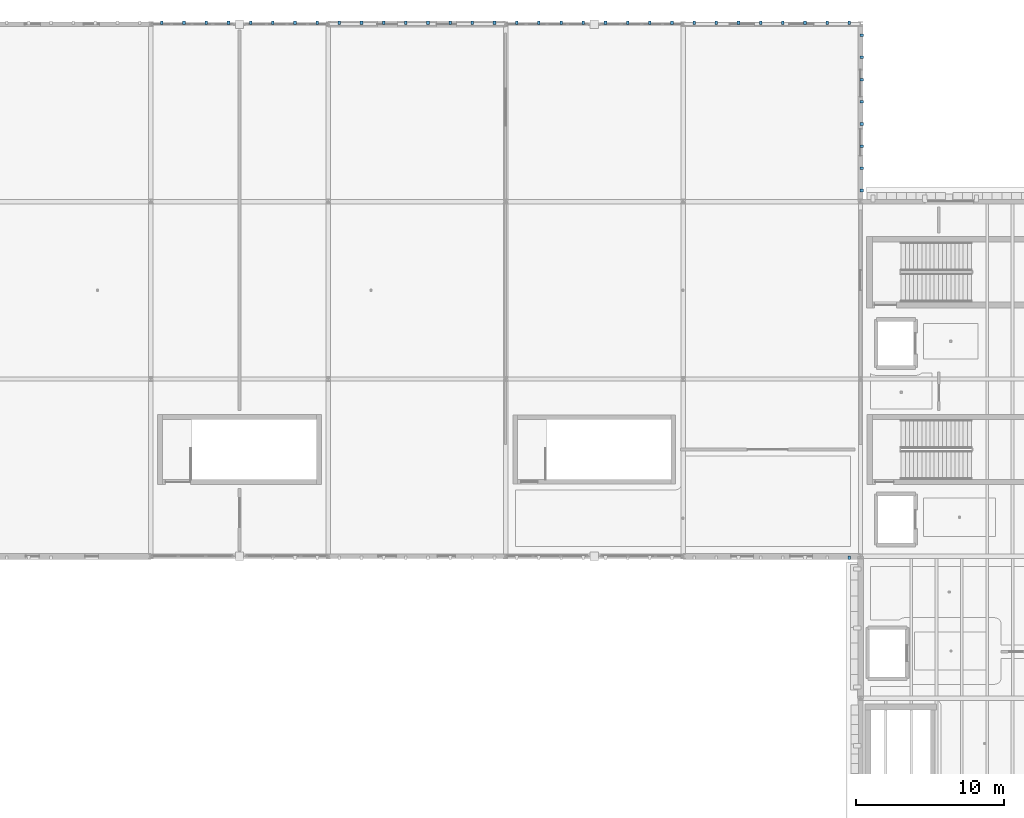
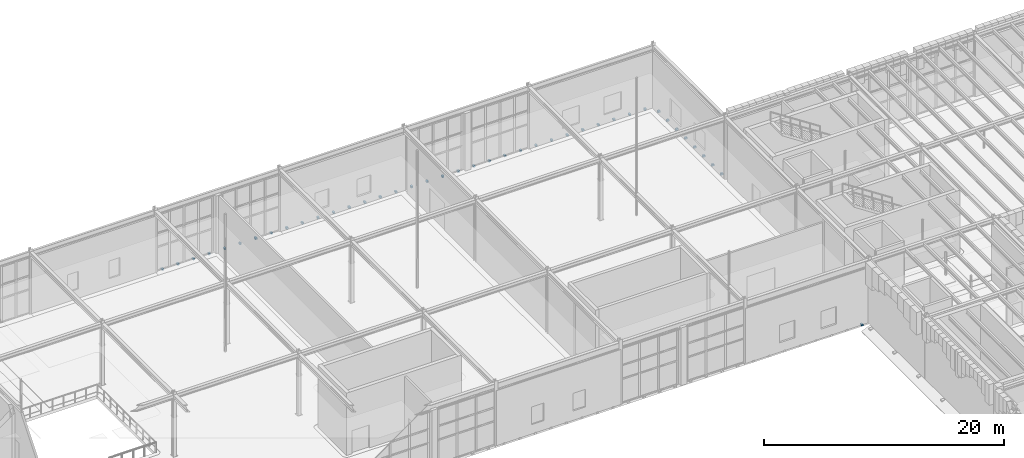
# One storey, part 52 of 62: 41 discrete accessories.
"""IFC4 building model written with IfcOpenShell, lengths in metres."""

from ifc_helpers import new_model, si_unit, direction, frame, origin, origin_2d, place, context, subcontext, project, spatial, rectangle, extrude, material, type_object, element, save


model = new_model("IFC4")

# Units and contexts
model_context = context("Model", 3, precision=1e-05, world=origin(), true_north=direction((0.0, 1.0)))
body_context = subcontext(model_context, "Body", "Model", "MODEL_VIEW")
ifc_project = project(units=[si_unit("LENGTHUNIT", "METRE"), si_unit("AREAUNIT", "SQUARE_METRE"), si_unit("VOLUMEUNIT", "CUBIC_METRE"), si_unit("PLANEANGLEUNIT", "RADIAN"), si_unit("MASSUNIT", "GRAM", prefix="KILO")], contexts=[model_context])

# Site, building, storey
site_placement = place(None, origin())
site = spatial("IfcSite", under=ifc_project, at=site_placement, CompositionType="ELEMENT")
building_placement = place(site_placement, origin())
building = spatial("IfcBuilding", under=site, at=building_placement, Name="Zlatogorsky Bluff Art Gallery", CompositionType="ELEMENT")
storey_placement = place(building_placement, frame((0.0, 0.0, 16.800048828125)))
storey = spatial("IfcBuildingStorey", under=building, at=storey_placement, Name="L03", CompositionType="ELEMENT", Elevation=16.800048828125)

# Discrete accessories
ifc_material = material(Name="Steel S355", Category="steel")
discrete_accessory_type = type_object("IfcDiscreteAccessoryType", Name="Stainless Facade Fin Bracket BRK-01", PredefinedType="BRACKET", material=ifc_material)
for number, where, z_axis, x_axis, name in (
    (1, (119.25, 83.919921875, -0.1298828125), (0.0, 0.0, 1.0), (1.0, 0.0, 0.0), "Fin slab-edge bracket S.071.L03"),
    (2, (72.75, 120.080078125, -0.1298828125), (0.0, 0.0, 1.0), (1.0, 0.0, 0.0), "Fin slab-edge bracket N.112.L03"),
    (3, (74.25, 120.080078125, -0.1298828125), (0.0, 0.0, 1.0), (1.0, 0.0, 0.0), "Fin slab-edge bracket N.113.L03"),
    (4, (75.75, 120.080078125, -0.1298828125), (0.0, 0.0, 1.0), (1.0, 0.0, 0.0), "Fin slab-edge bracket N.114.L03"),
    (5, (77.25, 120.080078125, -0.1298828125), (0.0, 0.0, 1.0), (1.0, 0.0, 0.0), "Fin slab-edge bracket N.115.L03"),
    (6, (78.75, 120.080078125, -0.1298828125), (0.0, 0.0, 1.0), (1.0, 0.0, 0.0), "Fin slab-edge bracket N.116.L03"),
    (7, (80.25, 120.080078125, -0.1298828125), (0.0, 0.0, 1.0), (1.0, 0.0, 0.0), "Fin slab-edge bracket N.117.L03"),
    (8, (81.75, 120.080078125, -0.1298828125), (0.0, 0.0, 1.0), (1.0, 0.0, 0.0), "Fin slab-edge bracket N.118.L03"),
    (9, (83.25, 120.080078125, -0.1298828125), (0.0, 0.0, 1.0), (1.0, 0.0, 0.0), "Fin slab-edge bracket N.119.L03"),
    (10, (84.75, 120.080078125, -0.1298828125), (0.0, 0.0, 1.0), (1.0, 0.0, 0.0), "Fin slab-edge bracket N.120.L03"),
    (11, (86.25, 120.080078125, -0.1298828125), (0.0, 0.0, 1.0), (1.0, 0.0, 0.0), "Fin slab-edge bracket N.121.L03"),
    (12, (87.75, 120.080078125, -0.1298828125), (0.0, 0.0, 1.0), (1.0, 0.0, 0.0), "Fin slab-edge bracket N.122.L03"),
    (13, (89.25, 120.080078125, -0.1298828125), (0.0, 0.0, 1.0), (1.0, 0.0, 0.0), "Fin slab-edge bracket N.123.L03"),
    (14, (90.75, 120.080078125, -0.1298828125), (0.0, 0.0, 1.0), (1.0, 0.0, 0.0), "Fin slab-edge bracket N.124.L03"),
    (15, (92.25, 120.080078125, -0.1298828125), (0.0, 0.0, 1.0), (1.0, 0.0, 0.0), "Fin slab-edge bracket N.125.L03"),
    (16, (93.75, 120.080078125, -0.1298828125), (0.0, 0.0, 1.0), (1.0, 0.0, 0.0), "Fin slab-edge bracket N.126.L03"),
    (17, (95.25, 120.080078125, -0.1298828125), (0.0, 0.0, 1.0), (1.0, 0.0, 0.0), "Fin slab-edge bracket N.127.L03"),
    (18, (96.75, 120.080078125, -0.1298828125), (0.0, 0.0, 1.0), (1.0, 0.0, 0.0), "Fin slab-edge bracket N.128.L03"),
    (19, (98.25, 120.080078125, -0.1298828125), (0.0, 0.0, 1.0), (1.0, 0.0, 0.0), "Fin slab-edge bracket N.129.L03"),
    (20, (99.75, 120.080078125, -0.1298828125), (0.0, 0.0, 1.0), (1.0, 0.0, 0.0), "Fin slab-edge bracket N.130.L03"),
    (21, (101.25, 120.080078125, -0.1298828125), (0.0, 0.0, 1.0), (1.0, 0.0, 0.0), "Fin slab-edge bracket N.131.L03"),
    (22, (102.75, 120.080078125, -0.1298828125), (0.0, 0.0, 1.0), (1.0, 0.0, 0.0), "Fin slab-edge bracket N.132.L03"),
    (23, (104.25, 120.080078125, -0.1298828125), (0.0, 0.0, 1.0), (1.0, 0.0, 0.0), "Fin slab-edge bracket N.133.L03"),
    (24, (105.75, 120.080078125, -0.1298828125), (0.0, 0.0, 1.0), (1.0, 0.0, 0.0), "Fin slab-edge bracket N.134.L03"),
    (25, (107.25, 120.080078125, -0.1298828125), (0.0, 0.0, 1.0), (1.0, 0.0, 0.0), "Fin slab-edge bracket N.135.L03"),
    (26, (108.75, 120.080078125, -0.1298828125), (0.0, 0.0, 1.0), (1.0, 0.0, 0.0), "Fin slab-edge bracket N.136.L03"),
    (27, (110.25, 120.080078125, -0.1298828125), (0.0, 0.0, 1.0), (1.0, 0.0, 0.0), "Fin slab-edge bracket N.137.L03"),
    (28, (111.75, 120.080078125, -0.1298828125), (0.0, 0.0, 1.0), (1.0, 0.0, 0.0), "Fin slab-edge bracket N.138.L03"),
    (29, (113.25, 120.080078125, -0.1298828125), (0.0, 0.0, 1.0), (1.0, 0.0, 0.0), "Fin slab-edge bracket N.139.L03"),
    (30, (114.75, 120.080078125, -0.1298828125), (0.0, 0.0, 1.0), (1.0, 0.0, 0.0), "Fin slab-edge bracket N.140.L03"),
    (31, (116.25, 120.080078125, -0.1298828125), (0.0, 0.0, 1.0), (1.0, 0.0, 0.0), "Fin slab-edge bracket N.141.L03"),
    (32, (117.75, 120.080078125, -0.1298828125), (0.0, 0.0, 1.0), (1.0, 0.0, 0.0), "Fin slab-edge bracket N.142.L03"),
    (33, (119.25, 120.080078125, -0.1298828125), (0.0, 0.0, 1.0), (1.0, 0.0, 0.0), "Fin slab-edge bracket N.143.L03"),
):
    element("IfcDiscreteAccessory", number, at=place(storey_placement, frame(where, z_axis=z_axis, x_axis=x_axis)), inside=storey, type_object=discrete_accessory_type, Name=name, PredefinedType="BRACKET", context=body_context, shape_type="SweptSolid", body=[
        extrude(rectangle(XDim=0.179931640625, YDim=0.239990234375, at=origin_2d()), origin(), (0.0, 0.0, 1.0), 0.179931640625),
    ])
for number, where, z_axis, x_axis, name in (
    (34, (120.080078125, 108.75, -0.1298828125), (0.0, 0.0, 1.0), (1.0, 0.0, 0.0), "Fin slab-edge bracket E.160.L03"),
    (35, (120.080078125, 110.25, -0.1298828125), (0.0, 0.0, 1.0), (1.0, 0.0, 0.0), "Fin slab-edge bracket E.161.L03"),
    (36, (120.080078125, 111.75, -0.1298828125), (0.0, 0.0, 1.0), (1.0, 0.0, 0.0), "Fin slab-edge bracket E.162.L03"),
    (37, (120.080078125, 113.25, -0.1298828125), (0.0, 0.0, 1.0), (1.0, 0.0, 0.0), "Fin slab-edge bracket E.163.L03"),
    (38, (120.080078125, 114.75, -0.1298828125), (0.0, 0.0, 1.0), (1.0, 0.0, 0.0), "Fin slab-edge bracket E.164.L03"),
    (39, (120.080078125, 116.25, -0.1298828125), (0.0, 0.0, 1.0), (1.0, 0.0, 0.0), "Fin slab-edge bracket E.165.L03"),
    (40, (120.080078125, 117.75, -0.1298828125), (0.0, 0.0, 1.0), (1.0, 0.0, 0.0), "Fin slab-edge bracket E.166.L03"),
    (41, (120.080078125, 119.25, -0.1298828125), (0.0, 0.0, 1.0), (1.0, 0.0, 0.0), "Fin slab-edge bracket E.167.L03"),
):
    element("IfcDiscreteAccessory", number, at=place(storey_placement, frame(where, z_axis=z_axis, x_axis=x_axis)), inside=storey, type_object=discrete_accessory_type, Name=name, PredefinedType="BRACKET", context=body_context, shape_type="SweptSolid", body=[
        extrude(rectangle(XDim=0.239990234375, YDim=0.179931640625, at=origin_2d()), origin(), (0.0, 0.0, 1.0), 0.179931640625),
    ])

save(model, "model.ifc")
